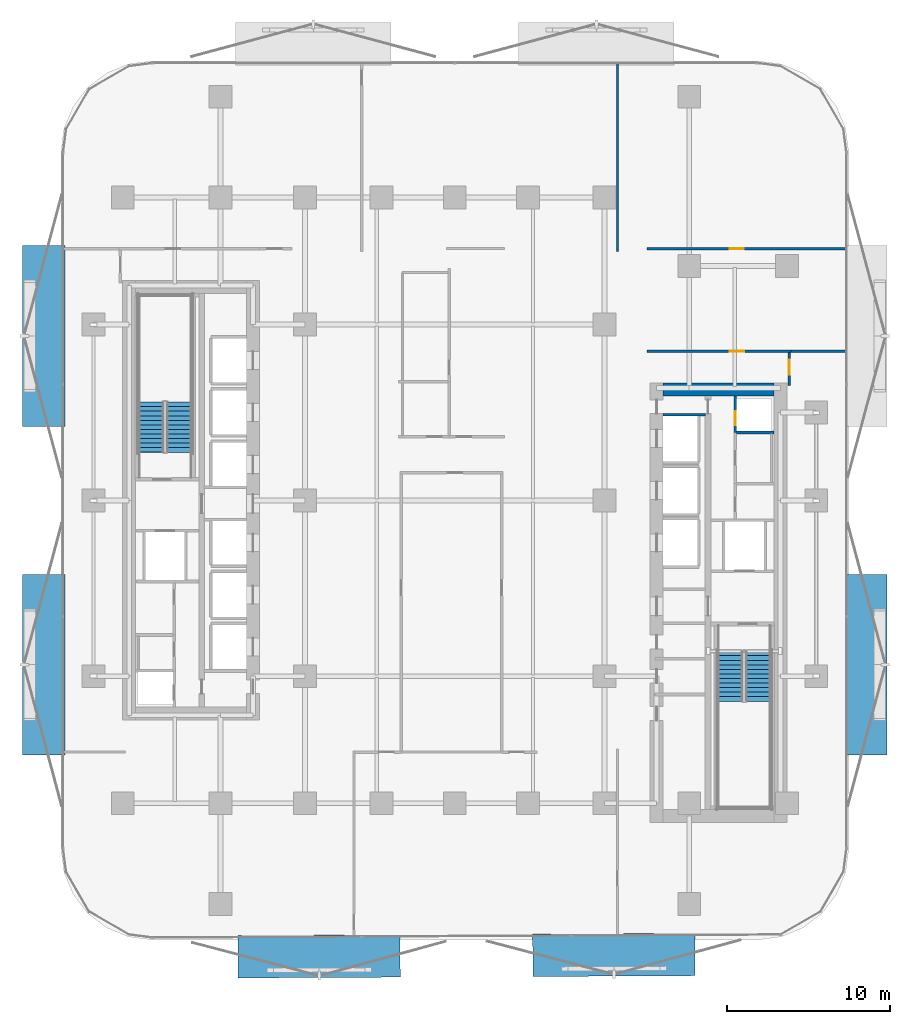
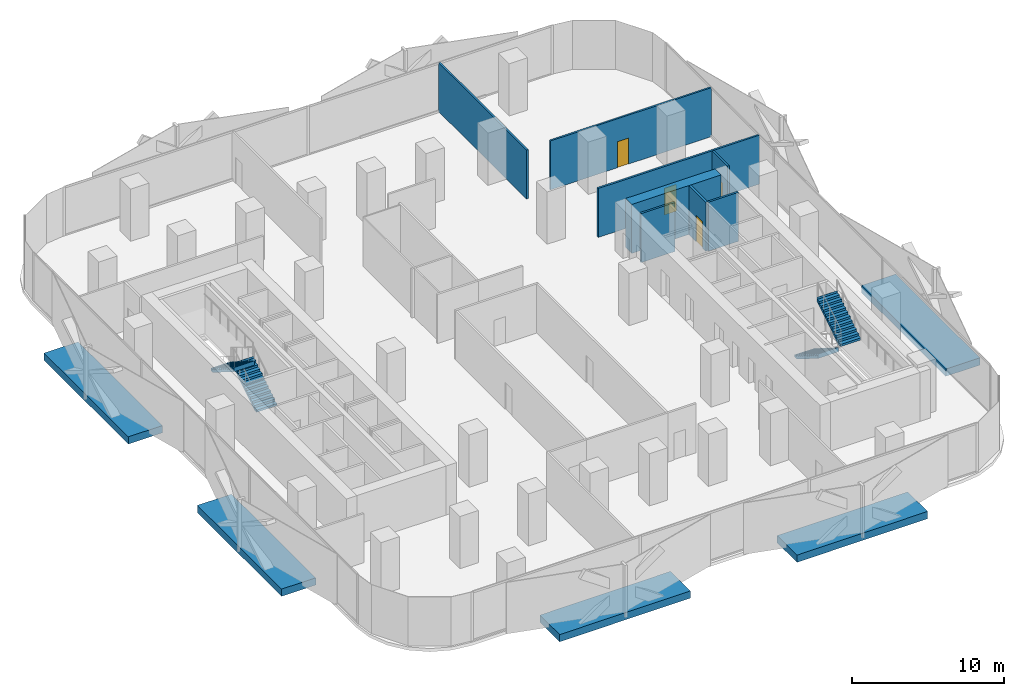
# One storey, part 6 of 16: 9 walls, 5 discrete accessories, 4 doors, 4 stair flights, 4 openings, 2 elements without a shape of their own.
"""IFC4 building model written with IfcOpenShell, lengths in metres."""

from ifc_helpers import new_model, si_unit, direction, frame, frame_2d, origin, origin_2d, place, context, subcontext, project, spatial, polyline, rectangle, outline, extrude, material, layer, layer_set, type_object, element, fill, aggregate, save


model = new_model("IFC4")

# Units and contexts
model_context = context("Model", 3, precision=1e-05, world=origin(), true_north=direction((0.0, 1.0)))
body_context = subcontext(model_context, "Body", "Model", "MODEL_VIEW")
ifc_project = project(units=[si_unit("LENGTHUNIT", "METRE"), si_unit("AREAUNIT", "SQUARE_METRE"), si_unit("VOLUMEUNIT", "CUBIC_METRE"), si_unit("PLANEANGLEUNIT", "RADIAN"), si_unit("MASSUNIT", "GRAM", prefix="KILO")], contexts=[model_context])

# Site, building, storey
site_placement = place(None, origin())
site = spatial("IfcSite", under=ifc_project, at=site_placement, CompositionType="ELEMENT")
building_placement = place(site_placement, origin())
building = spatial("IfcBuilding", under=site, at=building_placement, Name="Khairoan Windgate Tower", CompositionType="ELEMENT")
storey_placement = place(building_placement, frame((0.0, 0.0, 42.800048828125)))
storey = spatial("IfcBuildingStorey", under=building, at=storey_placement, Name="L10", CompositionType="ELEMENT", Elevation=42.800048828125)

# Walls
ifc_material_1 = material(Name="Concrete C40/50", Category="concrete")
ifc_layer_1 = layer(ifc_material_1, 0.159912109375, Name="Concrete C40/50")
ifc_layer_set_1 = layer_set([ifc_layer_1], Name="Concrete C40/50")
wall_type_1 = type_object("IfcWallType", Name="Core and Hoistway Enclosure Wall", PredefinedType="STANDARD", material=ifc_layer_set_1)
wall_1_placement = place(storey_placement, frame((12.800048828125, 5.25, 0.0), z_axis=(0.0, 0.0, 1.0), x_axis=(1.0, 0.0, 0.0)))
element("IfcWall", 1, at=wall_1_placement, inside=storey, type_object=wall_type_1, Name="L10 Core Shaft Wall SW-ESV-L10", PredefinedType="STANDARD", context=body_context, shape_type="SweptSolid", body=[
    extrude(rectangle(XDim=2.599853515625, YDim=0.159912109375, at=frame_2d((1.2998046875, 0.0))), origin(), (0.0, 0.0, 1.0), 3.93994140625),
])
ifc_material_2 = material(Name="Acoustic Fire-Rated Gypsum Partition", Category="gypsum")
ifc_layer_2 = layer(ifc_material_2, 0.139892578125, Name="Acoustic Fire-Rated Gypsum Partition")
ifc_layer_set_2 = layer_set([ifc_layer_2], Name="Acoustic Fire-Rated Gypsum Partition")
wall_type_2 = type_object("IfcWallType", Name="Inter-Tenancy Compartment Wall", PredefinedType="PARTITIONING", material=ifc_layer_set_2)
wall_2_placement = place(storey_placement, frame((20.639892578125, 9.159912109375, 0.0), z_axis=(0.0, 0.0, 1.0), x_axis=(1.0, 0.0, 0.0)))
element("IfcWall", 2, at=wall_2_placement, inside=storey, type_object=wall_type_2, Name="L10 Interior Partition 027", PredefinedType="PARTITIONING", context=body_context, shape_type="SweptSolid", body=[
    extrude(rectangle(XDim=3.4150390625, YDim=0.139892578125, at=frame_2d((1.70751953125, 0.0))), origin(), (0.0, 0.0, 1.0), 3.93994140625),
])

# Wall, opening, door
wall_3_placement = place(storey_placement, frame((11.81005859375, 15.4599609375, 0.0), z_axis=(0.0, 0.0, 1.0), x_axis=(1.0, 0.0, 0.0)))
wall_3 = element("IfcWall", 3, at=wall_3_placement, inside=storey, type_object=wall_type_2, Name="L10 Interior Partition 028", PredefinedType="PARTITIONING", context=body_context, shape_type="SweptSolid", body=[
    extrude(rectangle(XDim=12.244873046875, YDim=0.139892578125, at=frame_2d((6.12255859375, 0.0))), origin(), (0.0, 0.0, 1.0), 3.93994140625),
])
opening_1_placement = place(wall_3_placement, frame((5.09326171875, 0.0, 0.0)))
opening_1 = element("IfcOpeningElement", 4, at=opening_1_placement, cuts=wall_3, Name="Opening FD-SRV", PredefinedType="OPENING", context=body_context, shape_type="SweptSolid", body=[
    extrude(rectangle(XDim=0.85009765625, YDim=2.10009765625, at=frame_2d((0.425048828125, 1.050048828125))), frame((0.0, 0.079833984375, 0.0), z_axis=(0.0, -1.0, 0.0), x_axis=(1.0, 0.0, 0.0)), (0.0, 0.0, 1.0), 0.159912109375),
])
ifc_material_3 = material(Name="Steel S355", Category="steel")
door_type_1 = type_object("IfcDoorType", Name="Core Service and Riser Fire Door FD-SRV 850x2100", OperationType="NOTDEFINED", PredefinedType="DOOR", material=ifc_material_3)
door_1_placement = place(opening_1_placement, origin())
door_1 = element("IfcDoor", 5, at=door_1_placement, inside=storey, type_object=door_type_1, Name="L10 L10-40-L10-43 Door", OperationType="SINGLE_SWING_RIGHT", OverallHeight=2.10009765625, OverallWidth=0.85009765625, PredefinedType="DOOR", context=body_context, shape_type="SweptSolid", body=[
    extrude(rectangle(XDim=0.85009765625, YDim=2.10009765625, at=frame_2d((0.425048828125, 1.050048828125))), frame((0.0, 0.02490234375, 0.0), z_axis=(0.0, -1.0, 0.0), x_axis=(1.0, 0.0, 0.0)), (0.0, 0.0, 1.0), 0.050048828125),
])
fill(opening_1, door_1)

# Wall
wall_4_placement = place(storey_placement, frame((9.99609375, 15.280029296875, 0.0), z_axis=(0.0, 0.0, 1.0), x_axis=(0.0, 1.0, 0.0)))
element("IfcWall", 6, at=wall_4_placement, inside=storey, type_object=wall_type_2, Name="L10 Interior Partition 030", PredefinedType="PARTITIONING", context=body_context, shape_type="SweptSolid", body=[
    extrude(rectangle(XDim=11.574951171875, YDim=0.139892578125, at=frame_2d((5.78759765625, 0.0))), origin(), (0.0, 0.0, 1.0), 3.93994140625),
])

# Wall, opening, door
ifc_material_4 = material(Name="Concrete C40/50", Category="concrete")
ifc_layer_3 = layer(ifc_material_4, 0.159912109375, Name="Concrete C40/50")
ifc_layer_set_3 = layer_set([ifc_layer_3], Name="Concrete C40/50")
wall_type_3 = type_object("IfcWallType", Name="Plant and Refuge Compartment Wall", PredefinedType="PARTITIONING", material=ifc_layer_set_3)
wall_5_placement = place(storey_placement, frame((17.22998046875, 4.169921875, 0.0), z_axis=(0.0, 0.0, 1.0), x_axis=(0.0, 1.0, 0.0)))
wall_5 = element("IfcWall", 7, at=wall_5_placement, inside=storey, type_object=wall_type_3, Name="L10 Interior Partition 006", PredefinedType="PARTITIONING", context=body_context, shape_type="SweptSolid", body=[
    extrude(rectangle(XDim=2.22998046875, YDim=0.159912109375, at=frame_2d((1.114990234375, 0.0))), origin(), (0.0, 0.0, 1.0), 3.93994140625),
])
opening_2_placement = place(wall_5_placement, frame((0.4599609375, 0.0, 0.0)))
opening_2 = element("IfcOpeningElement", 8, at=opening_2_placement, cuts=wall_5, Name="Opening FD-SRV", PredefinedType="OPENING", context=body_context, shape_type="SweptSolid", body=[
    extrude(rectangle(XDim=0.85009765625, YDim=2.10009765625, at=frame_2d((0.425048828125, 1.050048828125))), frame((0.0, 0.08984375, 0.0), z_axis=(0.0, -1.0, 0.0), x_axis=(1.0, 0.0, 0.0)), (0.0, 0.0, 1.0), 0.179931640625),
])
door_2_placement = place(opening_2_placement, origin())
door_2 = element("IfcDoor", 9, at=door_2_placement, inside=storey, type_object=door_type_1, Name="L10 L10-19-L10-20 Door", OperationType="SINGLE_SWING_LEFT", OverallHeight=2.10009765625, OverallWidth=0.85009765625, PredefinedType="DOOR", context=body_context, shape_type="SweptSolid", body=[
    extrude(rectangle(XDim=0.85009765625, YDim=2.10009765625, at=frame_2d((0.425048828125, 1.050048828125))), frame((0.0, 0.02490234375, 0.0), z_axis=(0.0, -1.0, 0.0), x_axis=(1.0, 0.0, 0.0)), (0.0, 0.0, 1.0), 0.050048828125),
])
fill(opening_2, door_2)

# Wall
wall_6_placement = place(storey_placement, frame((17.31005859375, 4.169921875, 0.0), z_axis=(0.0, 0.0, 1.0), x_axis=(1.0, 0.0, 0.0)))
element("IfcWall", 10, at=wall_6_placement, inside=storey, type_object=wall_type_3, Name="L10 Interior Partition 009", PredefinedType="PARTITIONING", context=body_context, shape_type="SweptSolid", body=[
    extrude(rectangle(XDim=2.2900390625, YDim=0.159912109375, at=frame_2d((1.14501953125, 0.0))), origin(), (0.0, 0.0, 1.0), 3.93994140625),
])

# Wall, opening, door
ifc_material_5 = material(Name="Acoustic Fire-Rated Gypsum Partition", Category="gypsum")
ifc_layer_4 = layer(ifc_material_5, 0.14990234375, Name="Acoustic Fire-Rated Gypsum Partition")
ifc_layer_set_4 = layer_set([ifc_layer_4], Name="Acoustic Fire-Rated Gypsum Partition")
wall_type_4 = type_object("IfcWallType", Name="Rated Corridor Partition Wall", PredefinedType="PARTITIONING", material=ifc_layer_set_4)
wall_7_placement = place(storey_placement, frame((20.5400390625, 7.06005859375, 0.0), z_axis=(0.0, 0.0, 1.0), x_axis=(0.0, 1.0, 0.0)))
wall_7 = element("IfcWall", 11, at=wall_7_placement, inside=storey, type_object=wall_type_4, Name="L10 Interior Partition 023", PredefinedType="PARTITIONING", context=body_context, shape_type="SweptSolid", body=[
    extrude(rectangle(XDim=2.02490234375, YDim=0.14990234375, at=frame_2d((1.012451171875, 0.0))), origin(), (0.0, 0.0, 1.0), 3.93994140625),
])
opening_3_placement = place(wall_7_placement, frame((0.6650390625, 0.0, 0.0)))
opening_3 = element("IfcOpeningElement", 12, at=opening_3_placement, cuts=wall_7, Name="Opening FD-ENT", PredefinedType="OPENING", context=body_context, shape_type="SweptSolid", body=[
    extrude(rectangle(XDim=0.89990234375, YDim=2.14990234375, at=frame_2d((0.449951171875, 1.074951171875))), frame((0.0, 0.0849609375, 0.0), z_axis=(0.0, -1.0, 0.0), x_axis=(1.0, 0.0, 0.0)), (0.0, 0.0, 1.0), 0.169921875),
])
ifc_material_6 = material(Name="Timber Fire-Rated Core", Category="wood")
door_type_2 = type_object("IfcDoorType", Name="Unit and Office Fire Entrance Door FD-ENT 900x2150", OperationType="NOTDEFINED", PredefinedType="DOOR", material=ifc_material_6)
door_3_placement = place(opening_3_placement, origin())
door_3 = element("IfcDoor", 13, at=door_3_placement, inside=storey, type_object=door_type_2, Name="L10 L10-37-L10-39 Door", OperationType="SINGLE_SWING_RIGHT", OverallHeight=2.14990234375, OverallWidth=0.89990234375, PredefinedType="DOOR", context=body_context, shape_type="SweptSolid", body=[
    extrude(rectangle(XDim=0.89990234375, YDim=2.14990234375, at=frame_2d((0.449951171875, 1.074951171875))), frame((0.0, 0.02490234375, 0.0), z_axis=(0.0, -1.0, 0.0), x_axis=(1.0, 0.0, 0.0)), (0.0, 0.0, 1.0), 0.050048828125),
])
fill(opening_3, door_3)

wall_8_placement = place(storey_placement, frame((11.81005859375, 9.159912109375, 0.0), z_axis=(0.0, 0.0, 1.0), x_axis=(1.0, 0.0, 0.0)))
wall_8 = element("IfcWall", 14, at=wall_8_placement, inside=storey, type_object=wall_type_4, Name="L10 Interior Partition 024", PredefinedType="PARTITIONING", context=body_context, shape_type="SweptSolid", body=[
    extrude(rectangle(XDim=8.829833984375, YDim=0.14990234375, at=frame_2d((4.4150390625, 0.0))), origin(), (0.0, 0.0, 1.0), 3.93994140625),
])
opening_4_placement = place(wall_8_placement, frame((5.066650390625, 0.0, 0.0)))
opening_4 = element("IfcOpeningElement", 15, at=opening_4_placement, cuts=wall_8, Name="Opening FD-ENT", PredefinedType="OPENING", context=body_context, shape_type="SweptSolid", body=[
    extrude(rectangle(XDim=0.89990234375, YDim=2.14990234375, at=frame_2d((0.449951171875, 1.074951171875))), frame((0.0, 0.0849609375, 0.0), z_axis=(0.0, -1.0, 0.0), x_axis=(1.0, 0.0, 0.0)), (0.0, 0.0, 1.0), 0.169921875),
])
door_4_placement = place(opening_4_placement, origin())
door_4 = element("IfcDoor", 16, at=door_4_placement, inside=storey, type_object=door_type_2, Name="L10 L10-37-L10-40 Door", OperationType="SINGLE_SWING_LEFT", OverallHeight=2.14990234375, OverallWidth=0.89990234375, PredefinedType="DOOR", context=body_context, shape_type="SweptSolid", body=[
    extrude(rectangle(XDim=0.89990234375, YDim=2.14990234375, at=frame_2d((0.449951171875, 1.074951171875))), frame((0.0, 0.02490234375, 0.0), z_axis=(0.0, -1.0, 0.0), x_axis=(1.0, 0.0, 0.0)), (0.0, 0.0, 1.0), 0.050048828125),
])
fill(opening_4, door_4)

# Wall
ifc_material_7 = material(Name="Concrete C70/85", Category="concrete")
ifc_layer_5 = layer(ifc_material_7, 0.800048828125, Name="Concrete C70/85")
ifc_layer_set_5 = layer_set([ifc_layer_5], Name="Concrete C70/85")
wall_type_5 = type_object("IfcWallType", Name="Shear Wall CW-E1 800mm", PredefinedType="SHEAR", material=ifc_layer_set_5)
wall_9_placement = place(storey_placement, frame((12.800048828125, 6.800048828125, 0.0), z_axis=(0.0, 0.0, 1.0), x_axis=(1.0, 0.0, 0.0)))
element("IfcWall", 17, at=wall_9_placement, inside=storey, type_object=wall_type_5, Name="E Core North Shear Wall L10", PredefinedType="SHEAR", context=body_context, shape_type="SweptSolid", body=[
    extrude(rectangle(XDim=6.800048828125, YDim=0.800048828125, at=frame_2d((3.39990234375, 0.0))), origin(), (0.0, 0.0, 1.0), 3.93994140625),
])

# Stair, stair flights
ifc_material_8 = material(Name="Concrete C40/50", Category="concrete")
stair_type = type_object("IfcStairType", Name="Tower Core Dog-Leg Stair ST-T1 1560mm", PredefinedType="HALF_TURN_STAIR", material=ifc_material_8)
stair_1_placement = place(storey_placement, origin())
stair_1 = element("IfcStair", 18, at=stair_1_placement, inside=storey, type_object=stair_type, Name="L10 Stair ST1", PredefinedType="HALF_TURN_STAIR")
ifc_material_9 = material(Name="Concrete C40/50", Category="concrete")
ifc_layer_6 = layer(ifc_material_9, 0.14990234375, Name="Concrete C40/50")
ifc_layer_set_6 = layer_set([ifc_layer_6], Name="Concrete C40/50")
stair_flight_type = type_object("IfcStairFlightType", Name="Tower Core Stair Flight STF-1560", PredefinedType="STRAIGHT", material=ifc_layer_set_6)
stair_flight_1_placement = place(storey_placement, frame((16.929931640625, -9.260009765625, 0.0), z_axis=(0.0, 0.0, 1.0), x_axis=(0.0, -1.0, 0.0)))
stair_flight_1 = element("IfcStairFlight", 19, at=stair_flight_1_placement, type_object=stair_flight_type, Name="ST1 flight 1", NumberOfRisers=12, NumberOfTreads=11, PredefinedType="STRAIGHT", RiserHeight=0.175, TreadLength=0.28, context=body_context, shape_type="SweptSolid", body=[
    extrude(outline(polyline([(-0.00390625, 0.0), (-0.00390625, 0.175048828125), (0.0, 0.175048828125), (0.280029296875, 0.175048828125), (0.280029296875, 0.35009765625), (0.56005859375, 0.35009765625), (0.56005859375, 0.52490234375), (0.840087890625, 0.52490234375), (0.840087890625, 0.699951171875), (1.1201171875, 0.699951171875), (1.1201171875, 0.875), (1.39990234375, 0.875), (1.39990234375, 1.050048828125), (1.679931640625, 1.050048828125), (1.679931640625, 1.22509765625), (1.9599609375, 1.22509765625), (1.9599609375, 1.39990234375), (2.239990234375, 1.39990234375), (2.239990234375, 1.574951171875), (2.52001953125, 1.574951171875), (2.52001953125, 1.75), (2.800048828125, 1.75), (2.800048828125, 1.925048828125), (3.080078125, 1.925048828125), (3.080078125, 2.10009765625), (3.083984375, 2.10009765625), (3.083984375, 1.748291015625), (0.28271484375, 0.0), (-0.00390625, 0.0)])), frame((0.0, 0.780029296875, 0.0), z_axis=(0.0, -1.0, 0.0), x_axis=(1.0, 0.0, 0.0)), (0.0, 0.0, 1.0), 1.56005859375),
])
stair_flight_2_placement = place(storey_placement, frame((18.639892578125, -12.340087890625, 2.099853515625), z_axis=(0.0, 0.0, 1.0), x_axis=(0.0, 1.0, 0.0)))
stair_flight_2 = element("IfcStairFlight", 20, at=stair_flight_2_placement, type_object=stair_flight_type, Name="ST1 flight 2", NumberOfRisers=12, NumberOfTreads=11, PredefinedType="STRAIGHT", RiserHeight=0.175, TreadLength=0.28, context=body_context, shape_type="SweptSolid", body=[
    extrude(outline(polyline([(-0.00390625, 0.0), (-0.00390625, 0.175048828125), (0.0, 0.175048828125), (0.280029296875, 0.175048828125), (0.280029296875, 0.35009765625), (0.56005859375, 0.35009765625), (0.56005859375, 0.52490234375), (0.840087890625, 0.52490234375), (0.840087890625, 0.699951171875), (1.1201171875, 0.699951171875), (1.1201171875, 0.875), (1.39990234375, 0.875), (1.39990234375, 1.050048828125), (1.679931640625, 1.050048828125), (1.679931640625, 1.22509765625), (1.9599609375, 1.22509765625), (1.9599609375, 1.39990234375), (2.239990234375, 1.39990234375), (2.239990234375, 1.574951171875), (2.52001953125, 1.574951171875), (2.52001953125, 1.75), (2.800048828125, 1.75), (2.800048828125, 1.925048828125), (3.080078125, 1.925048828125), (3.080078125, 2.10009765625), (3.083984375, 2.10009765625), (3.083984375, 1.748291015625), (0.28271484375, 0.0), (-0.00390625, 0.0)])), frame((0.0, 0.780029296875, 0.0), z_axis=(0.0, -1.0, 0.0), x_axis=(1.0, 0.0, 0.0)), (0.0, 0.0, 1.0), 1.56005859375),
])
aggregate(stair_1, [stair_flight_1, stair_flight_2])

stair_2_placement = place(storey_placement, origin())
stair_2 = element("IfcStair", 21, at=stair_2_placement, inside=storey, type_object=stair_type, Name="L10 Stair ST2", PredefinedType="HALF_TURN_STAIR")
stair_flight_3_placement = place(storey_placement, frame((-16.929931640625, 2.9599609375, 0.0), z_axis=(0.0, 0.0, 1.0), x_axis=(0.0, 1.0, 0.0)))
stair_flight_3 = element("IfcStairFlight", 22, at=stair_flight_3_placement, type_object=stair_flight_type, Name="ST2 flight 1", NumberOfRisers=12, NumberOfTreads=11, PredefinedType="STRAIGHT", RiserHeight=0.175, TreadLength=0.28, context=body_context, shape_type="SweptSolid", body=[
    extrude(outline(polyline([(-0.00390625, 0.0), (-0.00390625, 0.175048828125), (0.0, 0.175048828125), (0.280029296875, 0.175048828125), (0.280029296875, 0.35009765625), (0.56005859375, 0.35009765625), (0.56005859375, 0.52490234375), (0.840087890625, 0.52490234375), (0.840087890625, 0.699951171875), (1.1201171875, 0.699951171875), (1.1201171875, 0.875), (1.39990234375, 0.875), (1.39990234375, 1.050048828125), (1.679931640625, 1.050048828125), (1.679931640625, 1.22509765625), (1.9599609375, 1.22509765625), (1.9599609375, 1.39990234375), (2.239990234375, 1.39990234375), (2.239990234375, 1.574951171875), (2.52001953125, 1.574951171875), (2.52001953125, 1.75), (2.800048828125, 1.75), (2.800048828125, 1.925048828125), (3.080078125, 1.925048828125), (3.080078125, 2.10009765625), (3.083984375, 2.10009765625), (3.083984375, 1.748291015625), (0.28271484375, 0.0), (-0.00390625, 0.0)])), frame((0.0, 0.780029296875, 0.0), z_axis=(0.0, -1.0, 0.0), x_axis=(1.0, 0.0, 0.0)), (0.0, 0.0, 1.0), 1.56005859375),
])
stair_flight_4_placement = place(storey_placement, frame((-18.639892578125, 6.0400390625, 2.099853515625), z_axis=(0.0, 0.0, 1.0), x_axis=(0.0, -1.0, 0.0)))
stair_flight_4 = element("IfcStairFlight", 23, at=stair_flight_4_placement, type_object=stair_flight_type, Name="ST2 flight 2", NumberOfRisers=12, NumberOfTreads=11, PredefinedType="STRAIGHT", RiserHeight=0.175, TreadLength=0.28, context=body_context, shape_type="SweptSolid", body=[
    extrude(outline(polyline([(-0.00390625, 0.0), (-0.00390625, 0.175048828125), (0.0, 0.175048828125), (0.280029296875, 0.175048828125), (0.280029296875, 0.35009765625), (0.56005859375, 0.35009765625), (0.56005859375, 0.52490234375), (0.840087890625, 0.52490234375), (0.840087890625, 0.699951171875), (1.1201171875, 0.699951171875), (1.1201171875, 0.875), (1.39990234375, 0.875), (1.39990234375, 1.050048828125), (1.679931640625, 1.050048828125), (1.679931640625, 1.22509765625), (1.9599609375, 1.22509765625), (1.9599609375, 1.39990234375), (2.239990234375, 1.39990234375), (2.239990234375, 1.574951171875), (2.52001953125, 1.574951171875), (2.52001953125, 1.75), (2.800048828125, 1.75), (2.800048828125, 1.925048828125), (3.080078125, 1.925048828125), (3.080078125, 2.10009765625), (3.083984375, 2.10009765625), (3.083984375, 1.748291015625), (0.28271484375, 0.0), (-0.00390625, 0.0)])), frame((0.0, 0.780029296875, 0.0), z_axis=(0.0, -1.0, 0.0), x_axis=(1.0, 0.0, 0.0)), (0.0, 0.0, 1.0), 1.56005859375),
])
aggregate(stair_2, [stair_flight_3, stair_flight_4])

# Discrete accessories
ifc_material_10 = material(Name="Steel S355", Category="steel")
discrete_accessory_type = type_object("IfcDiscreteAccessoryType", Name="Solar Screen Outrigger Slab Bracket SSB-1", PredefinedType="BRACKET", material=ifc_material_10)
for number, where, z_axis, x_axis, name in (
    (24, (9.767822265625, -27.922607421875, -0.420166015625), (0.0, 0.0, 1.0), (-0.999988059021, -0.004886902454, 0.0), "L10 Solar Screen Outrigger Bracket 33"),
    (25, (-8.333984375, -28.01025390625, -0.420166015625), (0.0, 0.0, 1.0), (-0.999988059021, -0.004886902454, 0.0), "L10 Solar Screen Outrigger Bracket 34"),
):
    element("IfcDiscreteAccessory", number, at=place(storey_placement, frame(where, z_axis=z_axis, x_axis=x_axis)), inside=storey, type_object=discrete_accessory_type, Name=name, PredefinedType="BRACKET", context=body_context, shape_type="SweptSolid", body=[
        extrude(rectangle(XDim=9.9560546875, YDim=2.60009765625, at=origin_2d()), origin(), (0.0, 0.0, 1.0), 0.580078125),
    ])
for number, where, z_axis, x_axis, name in (
    (26, (-25.260009765625, -10.095458984375, -0.420166015625), (0.0, 0.0, 1.0), (0.0, 1.0, 0.0), "L10 Solar Screen Outrigger Bracket 35"),
    (27, (-25.260009765625, 10.095458984375, -0.420166015625), (0.0, 0.0, 1.0), (0.0, 1.0, 0.0), "L10 Solar Screen Outrigger Bracket 36"),
    (28, (25.260009765625, -10.095458984375, -0.420166015625), (0.0, 0.0, 1.0), (0.0, -1.0, 0.0), "L10 Solar Screen Outrigger Bracket 40"),
):
    element("IfcDiscreteAccessory", number, at=place(storey_placement, frame(where, z_axis=z_axis, x_axis=x_axis)), inside=storey, type_object=discrete_accessory_type, Name=name, PredefinedType="BRACKET", context=body_context, shape_type="SweptSolid", body=[
        extrude(rectangle(XDim=11.10498046875, YDim=2.60009765625, at=origin_2d()), origin(), (0.0, 0.0, 1.0), 0.580078125),
    ])

save(model, "model.ifc")
